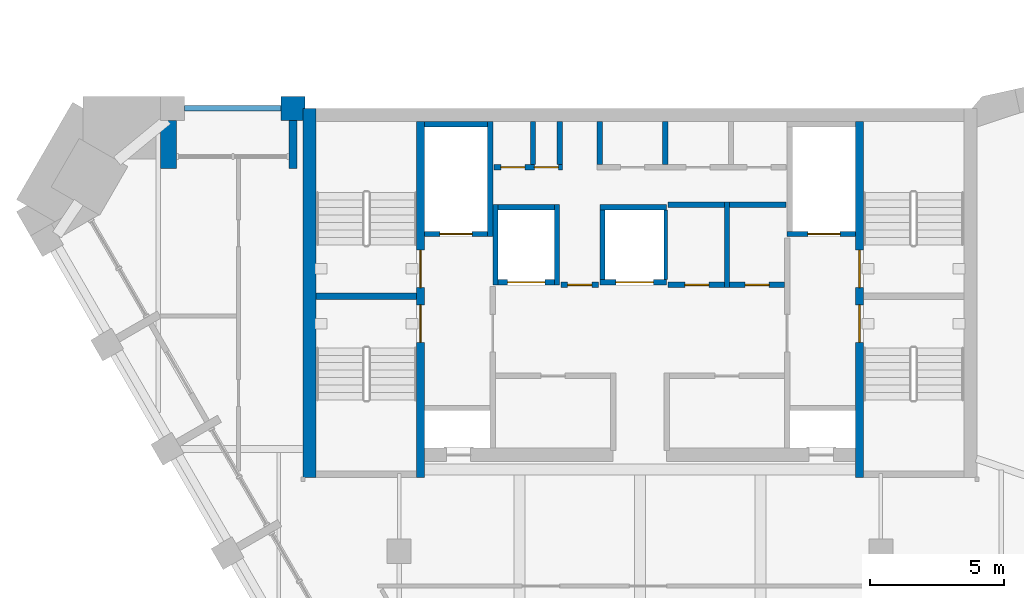
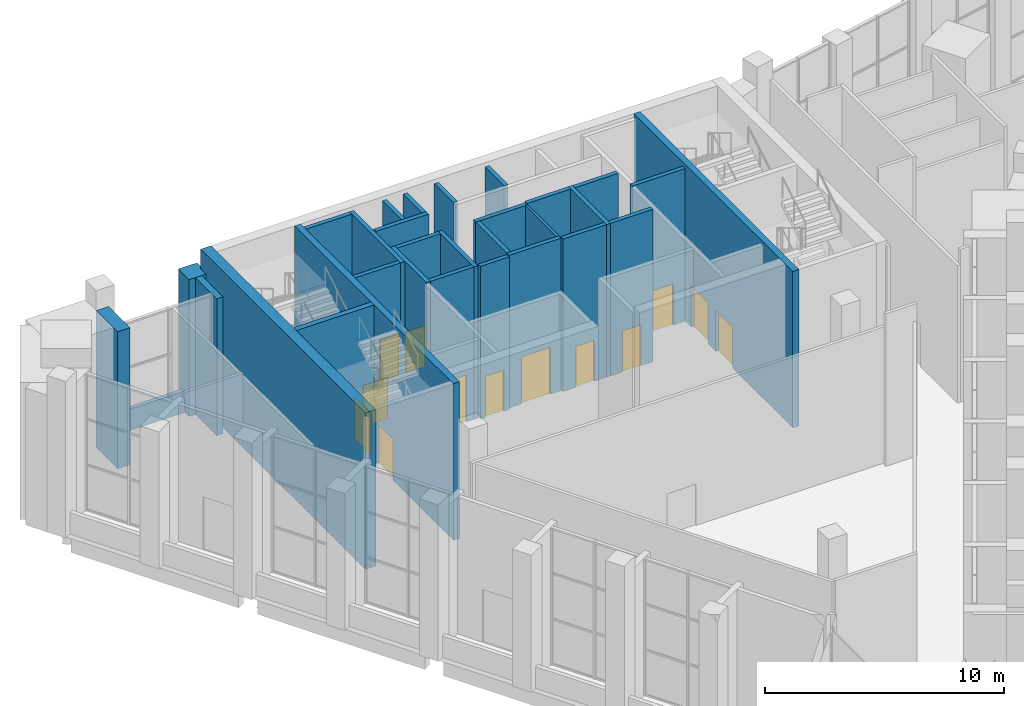
# One storey, part 12 of 16: 31 walls, 13 doors, 13 openings.
"""IFC4 building model written with IfcOpenShell, lengths in metres."""

from ifc_helpers import new_model, si_unit, direction, frame, frame_2d, origin, place, context, subcontext, project, spatial, polyline, rectangle, outline, extrude, material, layer, layer_set, type_object, element, fill, save


model = new_model("IFC4")

# Units and contexts
model_context = context("Model", 3, precision=1e-05, world=origin(), true_north=direction((0.0, 1.0)))
body_context = subcontext(model_context, "Body", "Model", "MODEL_VIEW")
ifc_project = project(units=[si_unit("LENGTHUNIT", "METRE"), si_unit("AREAUNIT", "SQUARE_METRE"), si_unit("VOLUMEUNIT", "CUBIC_METRE"), si_unit("PLANEANGLEUNIT", "RADIAN"), si_unit("MASSUNIT", "GRAM", prefix="KILO")], contexts=[model_context])

# Site, building, storey
site_placement = place(None, origin())
site = spatial("IfcSite", under=ifc_project, at=site_placement, CompositionType="ELEMENT")
building_placement = place(site_placement, origin())
building = spatial("IfcBuilding", under=site, at=building_placement, Name="Calabash Gate Tower", CompositionType="ELEMENT")
storey_placement = place(building_placement, frame((0.0, 0.0, 302.5)))
storey = spatial("IfcBuildingStorey", under=building, at=storey_placement, Name="L72", CompositionType="ELEMENT", Elevation=302.5)

# Walls
ifc_material_1 = material(Name="Terracotta brick masonry, exposed face", Category="masonry")
ifc_layer_1 = layer(ifc_material_1, 0.89990234375)
ifc_layer_set_1 = layer_set([ifc_layer_1], Name="Brick end wall 900")
wall_type_1 = type_object("IfcWallType", Name="Brick end wall 900", PredefinedType="SOLIDWALL", material=ifc_layer_set_1)
wall_1_placement = place(storey_placement, origin())
element("IfcWall", 1, at=wall_1_placement, inside=storey, type_object=wall_type_1, Name="Brick pier L72 N6.5", PredefinedType="SOLIDWALL", context=body_context, shape_type="SweptSolid", body=[
    extrude(outline(polyline([(-12.515625, 19.052490234375), (-12.515625, 19.50244140625), (-13.415771484375, 19.50244140625), (-13.415771484375, 18.6025390625), (-12.60009765625, 18.6025390625), (-12.60009765625, 19.052490234375), (-12.515625, 19.052490234375)])), origin(), (0.0, 0.0, 1.0), 7.0),
])
ifc_material_2 = material(Name="Terracotta brick masonry, exposed face", Category="masonry")
ifc_layer_2 = layer(ifc_material_2, 0.300048828125)
ifc_layer_set_2 = layer_set([ifc_layer_2], Name="Brick loggia cheek wall 300")
wall_type_2 = type_object("IfcWallType", Name="Brick loggia cheek wall 300", PredefinedType="SOLIDWALL", material=ifc_layer_set_2)
wall_2_placement = place(storey_placement, origin())
element("IfcWall", 2, at=wall_2_placement, inside=storey, type_object=wall_type_2, Name="Loggia cheek L72 N6.5", PredefinedType="SOLIDWALL", context=body_context, shape_type="SweptSolid", body=[
    extrude(outline(polyline([(-12.815673828125, 16.802490234375), (-12.815673828125, 18.6025390625), (-13.11572265625, 18.6025390625), (-13.11572265625, 16.802490234375), (-12.815673828125, 16.802490234375)])), origin(), (0.0, 0.0, 1.0), 7.0),
])
wall_3_placement = place(storey_placement, origin())
element("IfcWall", 3, at=wall_3_placement, inside=storey, type_object=wall_type_2, Name="Loggia cheek L72 N6.6", PredefinedType="SOLIDWALL", context=body_context, shape_type="SweptSolid", body=[
    extrude(outline(polyline([(-17.915771484375, 18.6025390625), (-17.915771484375, 16.802490234375), (-17.315673828125, 16.802490234375), (-17.315673828125, 18.6025390625), (-17.915771484375, 18.6025390625)])), origin(), (0.0, 0.0, 1.0), 7.0),
])
ifc_material_3 = material(Name="Terracotta brick masonry, exposed face", Category="masonry")
ifc_layer_3 = layer(ifc_material_3, 0.199951171875)
ifc_layer_set_3 = layer_set([ifc_layer_3], Name="Brick parapet wall 200")
wall_type_3 = type_object("IfcWallType", Name="Brick parapet wall 200", PredefinedType="PARAPET", material=ifc_layer_set_3)
wall_4_placement = place(storey_placement, frame((-13.415771484375, 19.052490234375, 0.0), z_axis=(0.0, 0.0, 1.0), x_axis=(-1.0, 0.0, 0.0)))
element("IfcWall", 4, at=wall_4_placement, inside=storey, type_object=wall_type_3, Name="Observation parapet L72 N6.6", PredefinedType="PARAPET", context=body_context, shape_type="SweptSolid", body=[
    extrude(rectangle(XDim=3.599853515625, YDim=0.199951171875, at=frame_2d((1.7998046875, 0.0))), origin(), (0.0, 0.0, 1.0), 1.10009765625),
])
ifc_material_4 = material(Name="Gypsum board on steel studs, mineral wool", Category="steel")
ifc_layer_4 = layer(ifc_material_4, 0.199951171875)
ifc_layer_set_4 = layer_set([ifc_layer_4], Name="Core partition 200 gypsum board")
wall_type_4 = type_object("IfcWallType", Name="Core partition 200 gypsum board", PredefinedType="PARTITIONING", material=ifc_layer_set_4)
wall_5_placement = place(storey_placement, frame((3.25, 12.3525390625, 0.0), z_axis=(0.0, 0.0, 1.0), x_axis=(0.0, 1.0, 0.0)))
element("IfcWall", 5, at=wall_5_placement, inside=storey, type_object=wall_type_4, Name="Core partition", PredefinedType="PARTITIONING", context=body_context, shape_type="SweptSolid", body=[
    extrude(rectangle(XDim=3.199951171875, YDim=0.199951171875, at=frame_2d((1.60009765625, 0.0))), origin(), (0.0, 0.0, 1.0), 7.800048828125),
])

# Wall, opening, door
wall_6_placement = place(storey_placement, frame((3.35009765625, 12.45263671875, 0.0), z_axis=(0.0, 0.0, 1.0), x_axis=(1.0, 0.0, 0.0)))
wall_6 = element("IfcWall", 6, at=wall_6_placement, inside=storey, type_object=wall_type_4, Name="Core partition", PredefinedType="PARTITIONING", context=body_context, shape_type="SweptSolid", body=[
    extrude(rectangle(XDim=2.0498046875, YDim=0.199951171875, at=frame_2d((1.02490234375, 0.0))), origin(), (0.0, 0.0, 1.0), 7.800048828125),
])
opening_1_placement = place(wall_6_placement, frame((0.574951171875, 0.0, 0.0)))
opening_1 = element("IfcOpeningElement", 7, at=opening_1_placement, cuts=wall_6, Name="Opening L72-021", PredefinedType="OPENING", context=body_context, shape_type="SweptSolid", body=[
    extrude(rectangle(XDim=0.89990234375, YDim=2.10009765625, at=frame_2d((0.449951171875, 1.050048828125))), frame((0.0, 0.10986328125, 0.0), z_axis=(0.0, -1.0, 0.0), x_axis=(1.0, 0.0, 0.0)), (0.0, 0.0, 1.0), 0.219970703125),
])
ifc_material_5 = material(Name="Steel fire door set with fire-resisting glazing", Category="steel")
door_type_1 = type_object("IfcDoorType", Name="Fire door D06 900x2100 FD60", OperationType="NOTDEFINED", PredefinedType="DOOR", material=ifc_material_5)
door_1_placement = place(opening_1_placement, origin())
door_1 = element("IfcDoor", 8, at=door_1_placement, inside=storey, type_object=door_type_1, Name="Security Room door", OperationType="SINGLE_SWING_LEFT", OverallHeight=2.10009765625, OverallWidth=0.89990234375, PredefinedType="DOOR", context=body_context, shape_type="SweptSolid", body=[
    extrude(rectangle(XDim=0.89990234375, YDim=2.10009765625, at=frame_2d((0.449951171875, 1.050048828125))), frame((0.0, 0.02490234375, 0.0), z_axis=(0.0, -1.0, 0.0), x_axis=(1.0, 0.0, 0.0)), (0.0, 0.0, 1.0), 0.050048828125),
])
fill(opening_1, door_1)

# Walls
for number, where, z_axis, x_axis, name in (
    (9, (-4.0, 16.95263671875, 0.0), (0.0, 0.0, 1.0), (0.0, 1.0, 0.0), "Core partition"),
    (10, (-3.0, 16.95263671875, 0.0), (0.0, 0.0, 1.0), (0.0, 1.0, 0.0), "Core partition"),
    (11, (-1.5, 16.95263671875, 0.0), (0.0, 0.0, 1.0), (0.0, 1.0, 0.0), "Core partition"),
    (12, (0.949951171875, 16.95263671875, 0.0), (0.0, 0.0, 1.0), (0.0, 1.0, 0.0), "Core partition"),
):
    element("IfcWall", number, at=place(storey_placement, frame(where, z_axis=z_axis, x_axis=x_axis)), inside=storey, type_object=wall_type_4, Name=name, PredefinedType="PARTITIONING", context=body_context, shape_type="SweptSolid", body=[
        extrude(rectangle(XDim=1.599853515625, YDim=0.199951171875, at=frame_2d((0.7998046875, 0.0))), origin(), (0.0, 0.0, 1.0), 7.800048828125),
    ])
ifc_material_6 = material(Name="Concrete C60/75", Category="concrete")
ifc_layer_5 = layer(ifc_material_6, 0.25)
ifc_layer_set_5 = layer_set([ifc_layer_5], Name="Core wall 250 Concrete C60/75")
wall_type_5 = type_object("IfcWallType", Name="Core wall 250 Concrete C60/75", PredefinedType="SHEAR", material=ifc_layer_set_5)
wall_7_placement = place(storey_placement, frame((-12.10009765625, 12.027587890625, 0.0), z_axis=(0.0, 0.0, 1.0), x_axis=(1.0, 0.0, 0.0)))
element("IfcWall", 13, at=wall_7_placement, inside=storey, type_object=wall_type_5, Name="Core wall Z5-MIDW L72", PredefinedType="SHEAR", context=body_context, shape_type="SweptSolid", body=[
    extrude(rectangle(XDim=3.75, YDim=0.25, at=frame_2d((1.875, 0.0))), origin(), (0.0, 0.0, 1.0), 8.0),
])

# Wall, openings, doors
ifc_material_7 = material(Name="Concrete C60/75", Category="concrete")
ifc_layer_6 = layer(ifc_material_7, 0.300048828125)
ifc_layer_set_6 = layer_set([ifc_layer_6], Name="Core wall 300 Concrete C60/75")
wall_type_6 = type_object("IfcWallType", Name="Core wall 300 Concrete C60/75", PredefinedType="SHEAR", material=ifc_layer_set_6)
wall_8_placement = place(storey_placement, frame((-8.199951171875, 5.252685546875, 0.0), z_axis=(0.0, 0.0, 1.0), x_axis=(0.0, 1.0, 0.0)))
wall_8 = element("IfcWall", 14, at=wall_8_placement, inside=storey, type_object=wall_type_6, Name="Core wall Z5-PARTW L72", PredefinedType="SHEAR", context=body_context, shape_type="SweptSolid", body=[
    extrude(rectangle(XDim=13.2998046875, YDim=0.300048828125, at=frame_2d((6.64990234375, 0.0))), origin(), (0.0, 0.0, 1.0), 8.0),
])
opening_2_placement = place(wall_8_placement, frame((7.10009765625, 0.0, 0.0)))
opening_2 = element("IfcOpeningElement", 15, at=opening_2_placement, cuts=wall_8, Name="Opening L72-006", PredefinedType="OPENING", context=body_context, shape_type="SweptSolid", body=[
    extrude(rectangle(XDim=1.39990234375, YDim=2.10009765625, at=frame_2d((0.699951171875, 1.050048828125))), frame((0.0, 0.159912109375, 0.0), z_axis=(0.0, -1.0, 0.0), x_axis=(1.0, 0.0, 0.0)), (0.0, 0.0, 1.0), 0.320068359375),
])
opening_3_placement = place(wall_8_placement, frame((5.050048828125, 0.0, 0.0)))
opening_3 = element("IfcOpeningElement", 16, at=opening_3_placement, cuts=wall_8, Name="Opening L72-007", PredefinedType="OPENING", context=body_context, shape_type="SweptSolid", body=[
    extrude(rectangle(XDim=1.39990234375, YDim=2.10009765625, at=frame_2d((0.699951171875, 1.050048828125))), frame((0.0, 0.159912109375, 0.0), z_axis=(0.0, -1.0, 0.0), x_axis=(1.0, 0.0, 0.0)), (0.0, 0.0, 1.0), 0.320068359375),
])
ifc_material_8 = material(Name="Steel fire door set with fire-resisting glazing", Category="steel")
door_type_2 = type_object("IfcDoorType", Name="Fire door D05 1400x2100 FD90", OperationType="NOTDEFINED", PredefinedType="DOOR", material=ifc_material_8)
door_2_placement = place(opening_2_placement, origin())
door_2 = element("IfcDoor", 17, at=door_2_placement, inside=storey, type_object=door_type_2, Name="Exit stair door ST1", OperationType="SINGLE_SWING_LEFT", OverallHeight=2.10009765625, OverallWidth=1.39990234375, PredefinedType="DOOR", context=body_context, shape_type="SweptSolid", body=[
    extrude(rectangle(XDim=1.39990234375, YDim=2.10009765625, at=frame_2d((0.699951171875, 1.050048828125))), frame((0.0, 0.02490234375, 0.0), z_axis=(0.0, -1.0, 0.0), x_axis=(1.0, 0.0, 0.0)), (0.0, 0.0, 1.0), 0.050048828125),
])
fill(opening_2, door_2)
door_3_placement = place(opening_3_placement, origin())
door_3 = element("IfcDoor", 18, at=door_3_placement, inside=storey, type_object=door_type_2, Name="Exit stair door ST2", OperationType="SINGLE_SWING_LEFT", OverallHeight=2.10009765625, OverallWidth=1.39990234375, PredefinedType="DOOR", context=body_context, shape_type="SweptSolid", body=[
    extrude(rectangle(XDim=1.39990234375, YDim=2.10009765625, at=frame_2d((0.699951171875, 1.050048828125))), frame((0.0, 0.02490234375, 0.0), z_axis=(0.0, -1.0, 0.0), x_axis=(1.0, 0.0, 0.0)), (0.0, 0.0, 1.0), 0.050048828125),
])
fill(opening_3, door_3)

wall_9_placement = place(storey_placement, frame((8.199951171875, 5.252685546875, 0.0), z_axis=(0.0, 0.0, 1.0), x_axis=(0.0, 1.0, 0.0)))
wall_9 = element("IfcWall", 19, at=wall_9_placement, inside=storey, type_object=wall_type_6, Name="Core wall Z5-PARTE L72", PredefinedType="SHEAR", context=body_context, shape_type="SweptSolid", body=[
    extrude(rectangle(XDim=13.2998046875, YDim=0.300048828125, at=frame_2d((6.64990234375, 0.0))), origin(), (0.0, 0.0, 1.0), 8.0),
])
opening_4_placement = place(wall_9_placement, frame((7.10009765625, 0.0, 0.0)))
opening_4 = element("IfcOpeningElement", 20, at=opening_4_placement, cuts=wall_9, Name="Opening L72-008", PredefinedType="OPENING", context=body_context, shape_type="SweptSolid", body=[
    extrude(rectangle(XDim=1.39990234375, YDim=2.10009765625, at=frame_2d((0.699951171875, 1.050048828125))), frame((0.0, 0.159912109375, 0.0), z_axis=(0.0, -1.0, 0.0), x_axis=(1.0, 0.0, 0.0)), (0.0, 0.0, 1.0), 0.320068359375),
])
opening_5_placement = place(wall_9_placement, frame((5.050048828125, 0.0, 0.0)))
opening_5 = element("IfcOpeningElement", 21, at=opening_5_placement, cuts=wall_9, Name="Opening L72-009", PredefinedType="OPENING", context=body_context, shape_type="SweptSolid", body=[
    extrude(rectangle(XDim=1.39990234375, YDim=2.10009765625, at=frame_2d((0.699951171875, 1.050048828125))), frame((0.0, 0.159912109375, 0.0), z_axis=(0.0, -1.0, 0.0), x_axis=(1.0, 0.0, 0.0)), (0.0, 0.0, 1.0), 0.320068359375),
])
door_4_placement = place(opening_4_placement, origin())
door_4 = element("IfcDoor", 22, at=door_4_placement, inside=storey, type_object=door_type_2, Name="Exit stair door ST3", OperationType="SINGLE_SWING_RIGHT", OverallHeight=2.10009765625, OverallWidth=1.39990234375, PredefinedType="DOOR", context=body_context, shape_type="SweptSolid", body=[
    extrude(rectangle(XDim=1.39990234375, YDim=2.10009765625, at=frame_2d((0.699951171875, 1.050048828125))), frame((0.0, 0.02490234375, 0.0), z_axis=(0.0, -1.0, 0.0), x_axis=(1.0, 0.0, 0.0)), (0.0, 0.0, 1.0), 0.050048828125),
])
fill(opening_4, door_4)
door_5_placement = place(opening_5_placement, origin())
door_5 = element("IfcDoor", 23, at=door_5_placement, inside=storey, type_object=door_type_2, Name="Exit stair door ST4", OperationType="SINGLE_SWING_LEFT", OverallHeight=2.10009765625, OverallWidth=1.39990234375, PredefinedType="DOOR", context=body_context, shape_type="SweptSolid", body=[
    extrude(rectangle(XDim=1.39990234375, YDim=2.10009765625, at=frame_2d((0.699951171875, 1.050048828125))), frame((0.0, 0.02490234375, 0.0), z_axis=(0.0, -1.0, 0.0), x_axis=(1.0, 0.0, 0.0)), (0.0, 0.0, 1.0), 0.050048828125),
])
fill(opening_5, door_5)

# Wall
ifc_material_9 = material(Name="Concrete C60/75", Category="concrete")
ifc_layer_7 = layer(ifc_material_9, 0.5)
ifc_layer_set_7 = layer_set([ifc_layer_7], Name="Core wall 500 Concrete C60/75")
wall_type_7 = type_object("IfcWallType", Name="Core wall 500 Concrete C60/75", PredefinedType="SHEAR", material=ifc_layer_set_7)
wall_10_placement = place(storey_placement, frame((-12.35009765625, 5.252685546875, 0.0), z_axis=(0.0, 0.0, 1.0), x_axis=(0.0, 1.0, 0.0)))
element("IfcWall", 24, at=wall_10_placement, inside=storey, type_object=wall_type_7, Name="Core wall Z5-COLW L72", PredefinedType="SHEAR", context=body_context, shape_type="SweptSolid", body=[
    extrude(rectangle(XDim=13.7998046875, YDim=0.5, at=frame_2d((6.89990234375, 0.0))), origin(), (0.0, 0.0, 1.0), 8.0),
])

# Wall, opening, door
ifc_material_10 = material(Name="Concrete C40/50", Category="concrete")
ifc_layer_8 = layer(ifc_material_10, 0.199951171875)
ifc_layer_set_8 = layer_set([ifc_layer_8], Name="Shaft wall 200 Concrete C40/50")
wall_type_8 = type_object("IfcWallType", Name="Shaft wall 200 Concrete C40/50", PredefinedType="SOLIDWALL", material=ifc_layer_set_8)
wall_11_placement = place(storey_placement, frame((-2.949951171875, 12.45263671875, 0.0), z_axis=(0.0, 0.0, 1.0), x_axis=(1.0, 0.0, 0.0)))
wall_11 = element("IfcWall", 25, at=wall_11_placement, inside=storey, type_object=wall_type_8, Name="Shaft wall", PredefinedType="SOLIDWALL", context=body_context, shape_type="SweptSolid", body=[
    extrude(rectangle(XDim=1.39990234375, YDim=0.199951171875, at=frame_2d((0.699951171875, 0.0))), origin(), (0.0, 0.0, 1.0), 7.800048828125),
])
opening_6_placement = place(wall_11_placement, frame((0.25, 0.0, 0.0)))
opening_6 = element("IfcOpeningElement", 26, at=opening_6_placement, cuts=wall_11, Name="Opening L72-010", PredefinedType="OPENING", context=body_context, shape_type="SweptSolid", body=[
    extrude(rectangle(XDim=0.89990234375, YDim=2.10009765625, at=frame_2d((0.449951171875, 1.050048828125))), frame((0.0, 0.10986328125, 0.0), z_axis=(0.0, -1.0, 0.0), x_axis=(1.0, 0.0, 0.0)), (0.0, 0.0, 1.0), 0.219970703125),
])
door_6_placement = place(opening_6_placement, origin())
door_6 = element("IfcDoor", 27, at=door_6_placement, inside=storey, type_object=door_type_1, Name="Service Corridor door", OperationType="SINGLE_SWING_RIGHT", OverallHeight=2.10009765625, OverallWidth=0.89990234375, PredefinedType="DOOR", context=body_context, shape_type="SweptSolid", body=[
    extrude(rectangle(XDim=0.89990234375, YDim=2.10009765625, at=frame_2d((0.449951171875, 1.050048828125))), frame((0.0, 0.02490234375, 0.0), z_axis=(0.0, -1.0, 0.0), x_axis=(1.0, 0.0, 0.0)), (0.0, 0.0, 1.0), 0.050048828125),
])
fill(opening_6, door_6)

wall_12_placement = place(storey_placement, frame((1.050048828125, 12.45263671875, 0.0), z_axis=(0.0, 0.0, 1.0), x_axis=(1.0, 0.0, 0.0)))
wall_12 = element("IfcWall", 28, at=wall_12_placement, inside=storey, type_object=wall_type_8, Name="Shaft wall", PredefinedType="SOLIDWALL", context=body_context, shape_type="SweptSolid", body=[
    extrude(rectangle(XDim=2.099853515625, YDim=0.199951171875, at=frame_2d((1.0498046875, 0.0))), origin(), (0.0, 0.0, 1.0), 7.800048828125),
])
opening_7_placement = place(wall_12_placement, frame((0.625, 0.0, 0.0)))
opening_7 = element("IfcOpeningElement", 29, at=opening_7_placement, cuts=wall_12, Name="Opening L72-020", PredefinedType="OPENING", context=body_context, shape_type="SweptSolid", body=[
    extrude(rectangle(XDim=0.89990234375, YDim=2.10009765625, at=frame_2d((0.449951171875, 1.050048828125))), frame((0.0, 0.10986328125, 0.0), z_axis=(0.0, -1.0, 0.0), x_axis=(1.0, 0.0, 0.0)), (0.0, 0.0, 1.0), 0.219970703125),
])
door_7_placement = place(opening_7_placement, origin())
door_7 = element("IfcDoor", 30, at=door_7_placement, inside=storey, type_object=door_type_1, Name="Lounge Pantry door", OperationType="SINGLE_SWING_RIGHT", OverallHeight=2.10009765625, OverallWidth=0.89990234375, PredefinedType="DOOR", context=body_context, shape_type="SweptSolid", body=[
    extrude(rectangle(XDim=0.89990234375, YDim=2.10009765625, at=frame_2d((0.449951171875, 1.050048828125))), frame((0.0, 0.02490234375, 0.0), z_axis=(0.0, -1.0, 0.0), x_axis=(1.0, 0.0, 0.0)), (0.0, 0.0, 1.0), 0.050048828125),
])
fill(opening_7, door_7)

# Wall
wall_13_placement = place(storey_placement, frame((-5.39990234375, 12.45263671875, 0.0), z_axis=(0.0, 0.0, 1.0), x_axis=(0.0, 1.0, 0.0)))
element("IfcWall", 31, at=wall_13_placement, inside=storey, type_object=wall_type_8, Name="Shaft wall", PredefinedType="SOLIDWALL", context=body_context, shape_type="SweptSolid", body=[
    extrude(rectangle(XDim=3.0, YDim=0.199951171875, at=frame_2d((1.5, 0.0))), origin(), (0.0, 0.0, 1.0), 7.800048828125),
])

# Wall, opening, door
wall_14_placement = place(storey_placement, frame((-5.300048828125, 12.552490234375, 0.0), z_axis=(0.0, 0.0, 1.0), x_axis=(1.0, 0.0, 0.0)))
wall_14 = element("IfcWall", 32, at=wall_14_placement, inside=storey, type_object=wall_type_8, Name="Shaft wall", PredefinedType="SOLIDWALL", context=body_context, shape_type="SweptSolid", body=[
    extrude(rectangle(XDim=2.10009765625, YDim=0.199951171875, at=frame_2d((1.050048828125, 0.0))), origin(), (0.0, 0.0, 1.0), 7.800048828125),
])
opening_8_placement = place(wall_14_placement, frame((0.35009765625, 0.0, 0.0)))
opening_8 = element("IfcOpeningElement", 33, at=opening_8_placement, cuts=wall_14, Name="Opening LD-OB1", PredefinedType="OPENING", context=body_context, shape_type="SweptSolid", body=[
    extrude(rectangle(XDim=1.39990234375, YDim=2.39990234375, at=frame_2d((0.699951171875, 1.199951171875))), frame((0.0, 0.10986328125, 0.0), z_axis=(0.0, -1.0, 0.0), x_axis=(1.0, 0.0, 0.0)), (0.0, 0.0, 1.0), 0.219970703125),
])
ifc_material_11 = material(Name="Stainless steel sliding door leaves", Category="steel")
door_type_3 = type_object("IfcDoorType", Name="Lift landing door LS2 1400x2400 FD90", OperationType="DOUBLE_DOOR_SLIDING", PredefinedType="DOOR", material=ifc_material_11)
door_8_placement = place(opening_8_placement, origin())
door_8 = element("IfcDoor", 34, at=door_8_placement, inside=storey, type_object=door_type_3, Name="Lift landing door OB1", OperationType="DOUBLE_DOOR_SLIDING", OverallHeight=2.39990234375, OverallWidth=1.39990234375, PredefinedType="DOOR", context=body_context, shape_type="SweptSolid", body=[
    extrude(rectangle(XDim=1.39990234375, YDim=2.39990234375, at=frame_2d((0.699951171875, 1.199951171875))), frame((0.0, 0.02490234375, 0.0), z_axis=(0.0, -1.0, 0.0), x_axis=(1.0, 0.0, 0.0)), (0.0, 0.0, 1.0), 0.050048828125),
])
fill(opening_8, door_8)

# Wall
wall_15_placement = place(storey_placement, frame((-3.10009765625, 12.45263671875, 0.0), z_axis=(0.0, 0.0, 1.0), x_axis=(0.0, 1.0, 0.0)))
element("IfcWall", 35, at=wall_15_placement, inside=storey, type_object=wall_type_8, Name="Shaft wall", PredefinedType="SOLIDWALL", context=body_context, shape_type="SweptSolid", body=[
    extrude(rectangle(XDim=3.0, YDim=0.199951171875, at=frame_2d((1.5, 0.0))), origin(), (0.0, 0.0, 1.0), 7.800048828125),
])

# Wall, opening, door
wall_16_placement = place(storey_placement, frame((-1.5, 12.552490234375, 0.0), z_axis=(0.0, 0.0, 1.0), x_axis=(1.0, 0.0, 0.0)))
wall_16 = element("IfcWall", 36, at=wall_16_placement, inside=storey, type_object=wall_type_8, Name="Shaft wall", PredefinedType="SOLIDWALL", context=body_context, shape_type="SweptSolid", body=[
    extrude(rectangle(XDim=2.5, YDim=0.199951171875, at=frame_2d((1.25, 0.0))), origin(), (0.0, 0.0, 1.0), 7.800048828125),
])
opening_9_placement = place(wall_16_placement, frame((0.60009765625, 0.0, 0.0)))
opening_9 = element("IfcOpeningElement", 37, at=opening_9_placement, cuts=wall_16, Name="Opening LD-OB2", PredefinedType="OPENING", context=body_context, shape_type="SweptSolid", body=[
    extrude(rectangle(XDim=1.39990234375, YDim=2.39990234375, at=frame_2d((0.699951171875, 1.199951171875))), frame((0.0, 0.10986328125, 0.0), z_axis=(0.0, -1.0, 0.0), x_axis=(1.0, 0.0, 0.0)), (0.0, 0.0, 1.0), 0.219970703125),
])
door_9_placement = place(opening_9_placement, origin())
door_9 = element("IfcDoor", 38, at=door_9_placement, inside=storey, type_object=door_type_3, Name="Lift landing door OB2", OperationType="DOUBLE_DOOR_SLIDING", OverallHeight=2.39990234375, OverallWidth=1.39990234375, PredefinedType="DOOR", context=body_context, shape_type="SweptSolid", body=[
    extrude(rectangle(XDim=1.39990234375, YDim=2.39990234375, at=frame_2d((0.699951171875, 1.199951171875))), frame((0.0, 0.02490234375, 0.0), z_axis=(0.0, -1.0, 0.0), x_axis=(1.0, 0.0, 0.0)), (0.0, 0.0, 1.0), 0.050048828125),
])
fill(opening_9, door_9)

# Walls
wall_17_placement = place(storey_placement, frame((-1.39990234375, 12.652587890625, 0.0), z_axis=(0.0, 0.0, 1.0), x_axis=(0.0, 1.0, 0.0)))
element("IfcWall", 39, at=wall_17_placement, inside=storey, type_object=wall_type_8, Name="Shaft wall", PredefinedType="SOLIDWALL", context=body_context, shape_type="SweptSolid", body=[
    extrude(rectangle(XDim=2.60009765625, YDim=0.199951171875, at=frame_2d((1.300048828125, 0.0))), origin(), (0.0, 0.0, 1.0), 7.800048828125),
])
wall_18_placement = place(storey_placement, frame((0.9599609375, 12.652587890625, 0.0), z_axis=(0.0, 0.0, 1.0), x_axis=(0.0, 1.0, 0.0)))
element("IfcWall", 40, at=wall_18_placement, inside=storey, type_object=wall_type_8, Name="Shaft wall", PredefinedType="SOLIDWALL", context=body_context, shape_type="SweptSolid", body=[
    extrude(rectangle(XDim=2.60009765625, YDim=0.1201171875, at=frame_2d((1.300048828125, 0.0))), origin(), (0.0, 0.0, 1.0), 7.800048828125),
])

# Wall, opening, door
wall_19_placement = place(storey_placement, frame((-8.050048828125, 14.3525390625, 0.0), z_axis=(0.0, 0.0, 1.0), x_axis=(1.0, 0.0, 0.0)))
wall_19 = element("IfcWall", 41, at=wall_19_placement, inside=storey, type_object=wall_type_8, Name="Shaft wall", PredefinedType="SOLIDWALL", context=body_context, shape_type="SweptSolid", body=[
    extrude(rectangle(XDim=2.35009765625, YDim=0.199951171875, at=frame_2d((1.175048828125, 0.0))), origin(), (0.0, 0.0, 1.0), 7.800048828125),
])
opening_10_placement = place(wall_19_placement, frame((0.574951171875, 0.0, 0.0)))
opening_10 = element("IfcOpeningElement", 42, at=opening_10_placement, cuts=wall_19, Name="Opening LD-FF1", PredefinedType="OPENING", context=body_context, shape_type="SweptSolid", body=[
    extrude(rectangle(XDim=1.199951171875, YDim=2.10009765625, at=frame_2d((0.60009765625, 1.050048828125))), frame((0.0, 0.10986328125, 0.0), z_axis=(0.0, -1.0, 0.0), x_axis=(1.0, 0.0, 0.0)), (0.0, 0.0, 1.0), 0.219970703125),
])
ifc_material_12 = material(Name="Stainless steel sliding door leaves", Category="steel")
door_type_4 = type_object("IfcDoorType", Name="Lift landing door LS3 1200x2100 FD90", OperationType="DOUBLE_DOOR_SLIDING", PredefinedType="DOOR", material=ifc_material_12)
door_10_placement = place(opening_10_placement, origin())
door_10 = element("IfcDoor", 43, at=door_10_placement, inside=storey, type_object=door_type_4, Name="Lift landing door FF1", OperationType="DOUBLE_DOOR_SLIDING", OverallHeight=2.10009765625, OverallWidth=1.199951171875, PredefinedType="DOOR", context=body_context, shape_type="SweptSolid", body=[
    extrude(rectangle(XDim=1.199951171875, YDim=2.10009765625, at=frame_2d((0.60009765625, 1.050048828125))), frame((0.0, 0.02490234375, 0.0), z_axis=(0.0, -1.0, 0.0), x_axis=(1.0, 0.0, 0.0)), (0.0, 0.0, 1.0), 0.050048828125),
])
fill(opening_10, door_10)

# Wall
wall_20_placement = place(storey_placement, frame((-5.60009765625, 14.252685546875, 0.0), z_axis=(0.0, 0.0, 1.0), x_axis=(0.0, 1.0, 0.0)))
element("IfcWall", 44, at=wall_20_placement, inside=storey, type_object=wall_type_8, Name="Shaft wall", PredefinedType="SOLIDWALL", context=body_context, shape_type="SweptSolid", body=[
    extrude(rectangle(XDim=4.2998046875, YDim=0.199951171875, at=frame_2d((2.14990234375, 0.0))), origin(), (0.0, 0.0, 1.0), 7.800048828125),
])

# Wall, opening, door
wall_21_placement = place(storey_placement, frame((5.5, 14.3525390625, 0.0), z_axis=(0.0, 0.0, 1.0), x_axis=(1.0, 0.0, 0.0)))
wall_21 = element("IfcWall", 45, at=wall_21_placement, inside=storey, type_object=wall_type_8, Name="Shaft wall", PredefinedType="SOLIDWALL", context=body_context, shape_type="SweptSolid", body=[
    extrude(rectangle(XDim=2.550048828125, YDim=0.199951171875, at=frame_2d((1.27490234375, 0.0))), origin(), (0.0, 0.0, 1.0), 7.800048828125),
])
opening_11_placement = place(wall_21_placement, frame((0.77490234375, 0.0, 0.0)))
opening_11 = element("IfcOpeningElement", 46, at=opening_11_placement, cuts=wall_21, Name="Opening LD-FF2", PredefinedType="OPENING", context=body_context, shape_type="SweptSolid", body=[
    extrude(rectangle(XDim=1.199951171875, YDim=2.10009765625, at=frame_2d((0.60009765625, 1.050048828125))), frame((0.0, 0.10986328125, 0.0), z_axis=(0.0, -1.0, 0.0), x_axis=(1.0, 0.0, 0.0)), (0.0, 0.0, 1.0), 0.219970703125),
])
door_11_placement = place(opening_11_placement, origin())
door_11 = element("IfcDoor", 47, at=door_11_placement, inside=storey, type_object=door_type_4, Name="Lift landing door FF2", OperationType="DOUBLE_DOOR_SLIDING", OverallHeight=2.10009765625, OverallWidth=1.199951171875, PredefinedType="DOOR", context=body_context, shape_type="SweptSolid", body=[
    extrude(rectangle(XDim=1.199951171875, YDim=2.10009765625, at=frame_2d((0.60009765625, 1.050048828125))), frame((0.0, 0.02490234375, 0.0), z_axis=(0.0, -1.0, 0.0), x_axis=(1.0, 0.0, 0.0)), (0.0, 0.0, 1.0), 0.050048828125),
])
fill(opening_11, door_11)

# Walls
wall_22_placement = place(storey_placement, frame((-5.300048828125, 15.3525390625, 0.0), z_axis=(0.0, 0.0, 1.0), x_axis=(1.0, 0.0, 0.0)))
element("IfcWall", 48, at=wall_22_placement, inside=storey, type_object=wall_type_8, Name="Shaft wall", PredefinedType="SOLIDWALL", context=body_context, shape_type="SweptSolid", body=[
    extrude(rectangle(XDim=2.10009765625, YDim=0.199951171875, at=frame_2d((1.050048828125, 0.0))), origin(), (0.0, 0.0, 1.0), 7.800048828125),
])
wall_23_placement = place(storey_placement, frame((-1.5, 15.3525390625, 0.0), z_axis=(0.0, 0.0, 1.0), x_axis=(1.0, 0.0, 0.0)))
element("IfcWall", 49, at=wall_23_placement, inside=storey, type_object=wall_type_8, Name="Shaft wall", PredefinedType="SOLIDWALL", context=body_context, shape_type="SweptSolid", body=[
    extrude(rectangle(XDim=2.5, YDim=0.199951171875, at=frame_2d((1.25, 0.0))), origin(), (0.0, 0.0, 1.0), 7.800048828125),
])
for number, where, z_axis, x_axis, name in (
    (50, (1.050048828125, 15.45263671875, 0.0), (0.0, 0.0, 1.0), (1.0, 0.0, 0.0), "Shaft wall"),
    (51, (3.35009765625, 15.45263671875, 0.0), (0.0, 0.0, 1.0), (1.0, 0.0, 0.0), "Shaft wall"),
):
    element("IfcWall", number, at=place(storey_placement, frame(where, z_axis=z_axis, x_axis=x_axis)), inside=storey, type_object=wall_type_8, Name=name, PredefinedType="SOLIDWALL", context=body_context, shape_type="SweptSolid", body=[
        extrude(rectangle(XDim=2.099853515625, YDim=0.199951171875, at=frame_2d((1.0498046875, 0.0))), origin(), (0.0, 0.0, 1.0), 7.800048828125),
    ])

# Wall, openings, doors
wall_24_placement = place(storey_placement, frame((-5.449951171875, 16.8525390625, 0.0), z_axis=(0.0, 0.0, 1.0), x_axis=(1.0, 0.0, 0.0)))
wall_24 = element("IfcWall", 52, at=wall_24_placement, inside=storey, type_object=wall_type_8, Name="Shaft wall", PredefinedType="SOLIDWALL", context=body_context, shape_type="SweptSolid", body=[
    extrude(rectangle(XDim=2.550048828125, YDim=0.199951171875, at=frame_2d((1.27490234375, 0.0))), origin(), (0.0, 0.0, 1.0), 7.800048828125),
])
opening_12_placement = place(wall_24_placement, frame((0.25, 0.0, 0.0)))
opening_12 = element("IfcOpeningElement", 53, at=opening_12_placement, cuts=wall_24, Name="Opening L72-013", PredefinedType="OPENING", context=body_context, shape_type="SweptSolid", body=[
    extrude(rectangle(XDim=0.89990234375, YDim=2.10009765625, at=frame_2d((0.449951171875, 1.050048828125))), frame((0.0, 0.10986328125, 0.0), z_axis=(0.0, -1.0, 0.0), x_axis=(1.0, 0.0, 0.0)), (0.0, 0.0, 1.0), 0.219970703125),
])
opening_13_placement = place(wall_24_placement, frame((1.5, 0.0, 0.0)))
opening_13 = element("IfcOpeningElement", 54, at=opening_13_placement, cuts=wall_24, Name="Opening L72-014", PredefinedType="OPENING", context=body_context, shape_type="SweptSolid", body=[
    extrude(rectangle(XDim=0.89990234375, YDim=2.10009765625, at=frame_2d((0.449951171875, 1.050048828125))), frame((0.0, 0.10986328125, 0.0), z_axis=(0.0, -1.0, 0.0), x_axis=(1.0, 0.0, 0.0)), (0.0, 0.0, 1.0), 0.219970703125),
])
door_12_placement = place(opening_12_placement, origin())
door_12 = element("IfcDoor", 55, at=door_12_placement, inside=storey, type_object=door_type_1, Name="Cleaner's Store door", OperationType="SINGLE_SWING_LEFT", OverallHeight=2.10009765625, OverallWidth=0.89990234375, PredefinedType="DOOR", context=body_context, shape_type="SweptSolid", body=[
    extrude(rectangle(XDim=0.89990234375, YDim=2.10009765625, at=frame_2d((0.449951171875, 1.050048828125))), frame((0.0, 0.02490234375, 0.0), z_axis=(0.0, -1.0, 0.0), x_axis=(1.0, 0.0, 0.0)), (0.0, 0.0, 1.0), 0.050048828125),
])
fill(opening_12, door_12)
door_13_placement = place(opening_13_placement, origin())
door_13 = element("IfcDoor", 56, at=door_13_placement, inside=storey, type_object=door_type_1, Name="Cleaner's Store door", OperationType="SINGLE_SWING_LEFT", OverallHeight=2.10009765625, OverallWidth=0.89990234375, PredefinedType="DOOR", context=body_context, shape_type="SweptSolid", body=[
    extrude(rectangle(XDim=0.89990234375, YDim=2.10009765625, at=frame_2d((0.449951171875, 1.050048828125))), frame((0.0, 0.02490234375, 0.0), z_axis=(0.0, -1.0, 0.0), x_axis=(1.0, 0.0, 0.0)), (0.0, 0.0, 1.0), 0.050048828125),
])
fill(opening_13, door_13)

# Wall
wall_25_placement = place(storey_placement, frame((-8.050048828125, 18.45263671875, 0.0), z_axis=(0.0, 0.0, 1.0), x_axis=(1.0, 0.0, 0.0)))
element("IfcWall", 57, at=wall_25_placement, inside=storey, type_object=wall_type_8, Name="Shaft wall", PredefinedType="SOLIDWALL", context=body_context, shape_type="SweptSolid", body=[
    extrude(rectangle(XDim=2.35009765625, YDim=0.199951171875, at=frame_2d((1.175048828125, 0.0))), origin(), (0.0, 0.0, 1.0), 7.800048828125),
])

save(model, "model.ifc")
